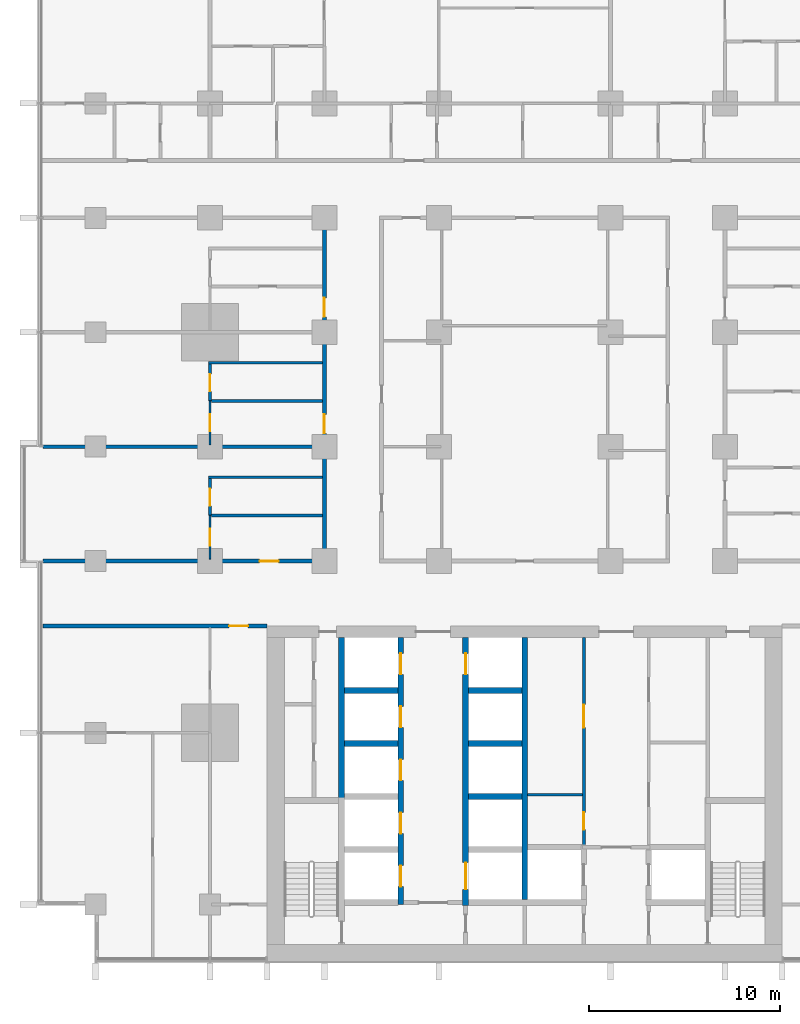
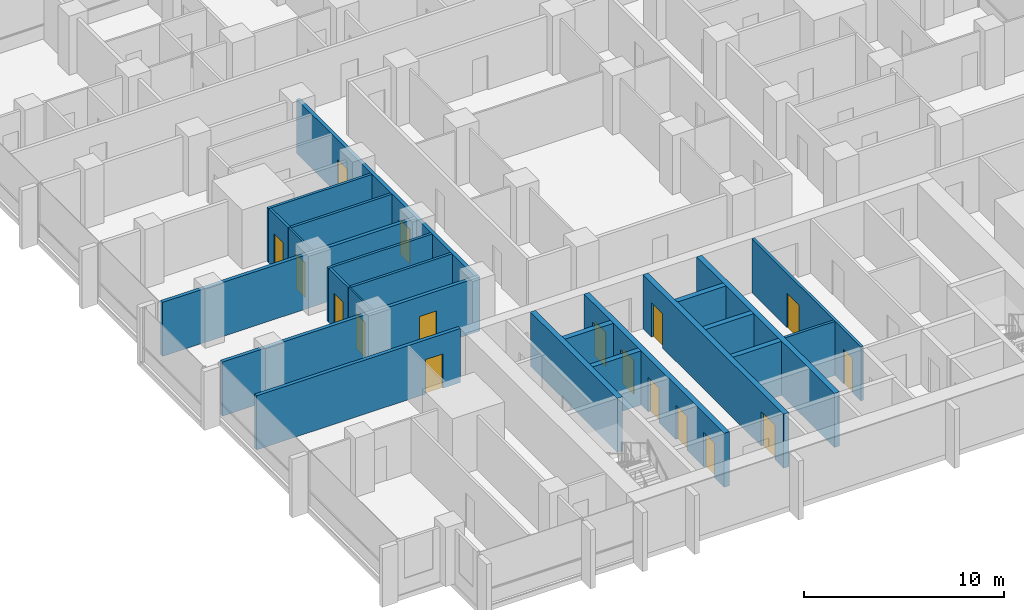
# One storey, part 8 of 18: 23 walls, 17 doors, 17 openings.
"""IFC4 building model written with IfcOpenShell, lengths in metres."""

from ifc_helpers import new_model, si_unit, direction, frame, frame_2d, origin, place, context, subcontext, project, spatial, rectangle, extrude, material, layer, layer_set, type_object, element, fill, save


model = new_model("IFC4")

# Units and contexts
model_context = context("Model", 3, precision=1e-05, world=origin(), true_north=direction((0.0, 1.0)))
body_context = subcontext(model_context, "Body", "Model", "MODEL_VIEW")
ifc_project = project(units=[si_unit("LENGTHUNIT", "METRE"), si_unit("AREAUNIT", "SQUARE_METRE"), si_unit("VOLUMEUNIT", "CUBIC_METRE"), si_unit("PLANEANGLEUNIT", "RADIAN"), si_unit("MASSUNIT", "GRAM", prefix="KILO")], contexts=[model_context])

# Site, building, storey
site_placement = place(None, origin())
site = spatial("IfcSite", under=ifc_project, at=site_placement, CompositionType="ELEMENT")
building_placement = place(site_placement, origin())
building = spatial("IfcBuilding", under=site, at=building_placement, Name="Finial Court Residences", CompositionType="ELEMENT")
storey_placement = place(building_placement, frame((0.0, 0.0, 68.5)))
storey = spatial("IfcBuildingStorey", under=building, at=storey_placement, Name="L16", CompositionType="ELEMENT", Elevation=68.5)

# Walls
ifc_material_1 = material(Name="Gypsum board")
ifc_layer_1 = layer(ifc_material_1, 0.02490234375)
ifc_material_2 = material(Name="Acoustic mineral wool in double frame")
ifc_layer_2 = layer(ifc_material_2, 0.14990234375)
ifc_layer_3 = layer(ifc_material_1, 0.02490234375)
ifc_layer_set_1 = layer_set([ifc_layer_1, ifc_layer_2, ifc_layer_3], Name="Acoustic party wall 200, 1 hour")
wall_type_1 = type_object("IfcWallType", Name="Acoustic party wall 200, 1 hour", PredefinedType="PARTITIONING", material=ifc_layer_set_1)
wall_1_placement = place(storey_placement, frame((-25.25, 1.5, 0.0), z_axis=(0.0, 0.0, 1.0), x_axis=(1.0, 0.0, 0.0)))
element("IfcWall", 1, at=wall_1_placement, inside=storey, type_object=wall_type_1, Name="Partition L16-019", PredefinedType="PARTITIONING", context=body_context, shape_type="SweptSolid", body=[
    extrude(rectangle(XDim=14.64990234375, YDim=0.199951171875, at=frame_2d((7.324951171875, 0.0))), origin(), (0.0, 0.0, 1.0), 3.300048828125),
])
ifc_material_3 = material(Name="Fire-rated gypsum board partition")
ifc_layer_4 = layer(ifc_material_3, 0.14990234375)
ifc_layer_set_2 = layer_set([ifc_layer_4], Name="Core room partition 150 EI 60")
wall_type_2 = type_object("IfcWallType", Name="Core room partition 150 EI 60", PredefinedType="PARTITIONING", material=ifc_layer_set_2)
wall_2_placement = place(storey_placement, frame((0.14990234375, -16.75, 0.0), z_axis=(0.0, 0.0, 1.0), x_axis=(1.0, 0.0, 0.0)))
element("IfcWall", 2, at=wall_2_placement, inside=storey, type_object=wall_type_2, Name="Core partition L16-14", PredefinedType="PARTITIONING", context=body_context, shape_type="SweptSolid", body=[
    extrude(rectangle(XDim=2.875, YDim=0.14990234375, at=frame_2d((1.4375, 0.0))), origin(), (0.0, 0.0, 1.0), 3.300048828125),
])

# Wall, openings, doors
wall_3_placement = place(storey_placement, frame((3.10009765625, -19.39990234375, 0.0), z_axis=(0.0, 0.0, 1.0), x_axis=(0.0, 1.0, 0.0)))
wall_3 = element("IfcWall", 3, at=wall_3_placement, inside=storey, type_object=wall_type_2, Name="Core partition L16-32", PredefinedType="PARTITIONING", context=body_context, shape_type="SweptSolid", body=[
    extrude(rectangle(XDim=10.89990234375, YDim=0.14990234375, at=frame_2d((5.449951171875, 0.0))), origin(), (0.0, 0.0, 1.0), 3.300048828125),
])
opening_1_placement = place(wall_3_placement, frame((0.824951171875, 0.0, 0.0)))
opening_1 = element("IfcOpeningElement", 4, at=opening_1_placement, cuts=wall_3, Name="Opening L16-C12", PredefinedType="OPENING", context=body_context, shape_type="SweptSolid", body=[
    extrude(rectangle(XDim=0.89990234375, YDim=2.10009765625, at=frame_2d((0.449951171875, 1.050048828125))), frame((0.0, 0.0849609375, 0.0), z_axis=(0.0, -1.0, 0.0), x_axis=(1.0, 0.0, 0.0)), (0.0, 0.0, 1.0), 0.169921875),
])
opening_2_placement = place(wall_3_placement, frame((6.175048828125, 0.0, 0.0)))
opening_2 = element("IfcOpeningElement", 5, at=opening_2_placement, cuts=wall_3, Name="Opening L16-C13", PredefinedType="OPENING", context=body_context, shape_type="SweptSolid", body=[
    extrude(rectangle(XDim=1.199951171875, YDim=2.10009765625, at=frame_2d((0.60009765625, 1.050048828125))), frame((0.0, 0.0849609375, 0.0), z_axis=(0.0, -1.0, 0.0), x_axis=(1.0, 0.0, 0.0)), (0.0, 0.0, 1.0), 0.169921875),
])
ifc_material_4 = material(Name="Steel fire door", Category="steel")
door_type_1 = type_object("IfcDoorType", Name="Core room door 1200 x 2100 EI 60", OperationType="NOTDEFINED", PredefinedType="DOOR", material=ifc_material_4)
door_1_placement = place(opening_2_placement, origin())
door_1 = element("IfcDoor", 6, at=door_1_placement, inside=storey, type_object=door_type_1, Name="Core room door L16-C13", OperationType="SINGLE_SWING_LEFT", OverallHeight=2.10009765625, OverallWidth=1.199951171875, PredefinedType="DOOR", context=body_context, shape_type="SweptSolid", body=[
    extrude(rectangle(XDim=1.199951171875, YDim=2.10009765625, at=frame_2d((0.60009765625, 1.050048828125))), frame((0.0, 0.02490234375, 0.0), z_axis=(0.0, -1.0, 0.0), x_axis=(1.0, 0.0, 0.0)), (0.0, 0.0, 1.0), 0.050048828125),
])
fill(opening_2, door_1)
door_type_2 = type_object("IfcDoorType", Name="Core room door 900 x 2100 EI 60", OperationType="NOTDEFINED", PredefinedType="DOOR", material=ifc_material_4)
door_2_placement = place(opening_1_placement, origin())
door_2 = element("IfcDoor", 7, at=door_2_placement, inside=storey, type_object=door_type_2, Name="Core room door L16-C12", OperationType="SINGLE_SWING_LEFT", OverallHeight=2.10009765625, OverallWidth=0.89990234375, PredefinedType="DOOR", context=body_context, shape_type="SweptSolid", body=[
    extrude(rectangle(XDim=0.89990234375, YDim=2.10009765625, at=frame_2d((0.449951171875, 1.050048828125))), frame((0.0, 0.02490234375, 0.0), z_axis=(0.0, -1.0, 0.0), x_axis=(1.0, 0.0, 0.0)), (0.0, 0.0, 1.0), 0.050048828125),
])
fill(opening_1, door_2)

# Wall, opening, door
ifc_layer_5 = layer(ifc_material_1, 0.02490234375)
ifc_layer_6 = layer(ifc_material_2, 0.14990234375)
ifc_layer_7 = layer(ifc_material_1, 0.02490234375)
ifc_layer_set_3 = layer_set([ifc_layer_5, ifc_layer_6, ifc_layer_7], Name="Corridor wall 200, 1 hour")
wall_type_3 = type_object("IfcWallType", Name="Corridor wall 200, 1 hour", PredefinedType="PARTITIONING", material=ifc_layer_set_3)
wall_4_placement = place(storey_placement, frame((-25.25, -7.89990234375, 0.0), z_axis=(0.0, 0.0, 1.0), x_axis=(1.0, 0.0, 0.0)))
wall_4 = element("IfcWall", 8, at=wall_4_placement, inside=storey, type_object=wall_type_3, Name="Partition L16-007", PredefinedType="PARTITIONING", context=body_context, shape_type="SweptSolid", body=[
    extrude(rectangle(XDim=11.75, YDim=0.199951171875, at=frame_2d((5.875, 0.0))), origin(), (0.0, 0.0, 1.0), 3.300048828125),
])
opening_3_placement = place(wall_4_placement, frame((9.75, 0.0, 0.0)))
opening_3 = element("IfcOpeningElement", 9, at=opening_3_placement, cuts=wall_4, Name="Opening L16-D005", PredefinedType="OPENING", context=body_context, shape_type="SweptSolid", body=[
    extrude(rectangle(XDim=1.0, YDim=2.10009765625, at=frame_2d((0.5, 1.050048828125))), frame((0.0, 0.10986328125, 0.0), z_axis=(0.0, -1.0, 0.0), x_axis=(1.0, 0.0, 0.0)), (0.0, 0.0, 1.0), 0.219970703125),
])
ifc_material_5 = material(Name="Timber door leaf in hollow metal frame", Category="wood")
door_type_3 = type_object("IfcDoorType", Name="Fire door set 1000 x 2100, 30 minutes", OperationType="SINGLE_SWING_LEFT", PredefinedType="DOOR", material=ifc_material_5)
door_3_placement = place(opening_3_placement, origin())
door_3 = element("IfcDoor", 10, at=door_3_placement, inside=storey, type_object=door_type_3, Name="Door L16-D005", OperationType="SINGLE_SWING_RIGHT", OverallHeight=2.10009765625, OverallWidth=1.0, PredefinedType="DOOR", context=body_context, shape_type="SweptSolid", body=[
    extrude(rectangle(XDim=1.0, YDim=2.10009765625, at=frame_2d((0.5, 1.050048828125))), frame((0.0, 0.02490234375, 0.0), z_axis=(0.0, -1.0, 0.0), x_axis=(1.0, 0.0, 0.0)), (0.0, 0.0, 1.0), 0.050048828125),
])
fill(opening_3, door_3)

wall_5_placement = place(storey_placement, frame((-25.25, -4.5, 0.0), z_axis=(0.0, 0.0, 1.0), x_axis=(1.0, 0.0, 0.0)))
wall_5 = element("IfcWall", 11, at=wall_5_placement, inside=storey, type_object=wall_type_3, Name="Partition L16-009", PredefinedType="PARTITIONING", context=body_context, shape_type="SweptSolid", body=[
    extrude(rectangle(XDim=14.85009765625, YDim=0.199951171875, at=frame_2d((7.425048828125, 0.0))), origin(), (0.0, 0.0, 1.0), 3.300048828125),
])
opening_4_placement = place(wall_5_placement, frame((11.35009765625, 0.0, 0.0)))
opening_4 = element("IfcOpeningElement", 12, at=opening_4_placement, cuts=wall_5, Name="Opening L16-D007", PredefinedType="OPENING", context=body_context, shape_type="SweptSolid", body=[
    extrude(rectangle(XDim=1.0, YDim=2.10009765625, at=frame_2d((0.5, 1.050048828125))), frame((0.0, 0.10986328125, 0.0), z_axis=(0.0, -1.0, 0.0), x_axis=(1.0, 0.0, 0.0)), (0.0, 0.0, 1.0), 0.219970703125),
])
door_4_placement = place(opening_4_placement, origin())
door_4 = element("IfcDoor", 13, at=door_4_placement, inside=storey, type_object=door_type_3, Name="Door L16-D007", OperationType="SINGLE_SWING_LEFT", OverallHeight=2.10009765625, OverallWidth=1.0, PredefinedType="DOOR", context=body_context, shape_type="SweptSolid", body=[
    extrude(rectangle(XDim=1.0, YDim=2.10009765625, at=frame_2d((0.5, 1.050048828125))), frame((0.0, 0.02490234375, 0.0), z_axis=(0.0, -1.0, 0.0), x_axis=(1.0, 0.0, 0.0)), (0.0, 0.0, 1.0), 0.050048828125),
])
fill(opening_4, door_4)

# Wall, openings, doors
wall_6_placement = place(storey_placement, frame((-10.5, -4.39990234375, 0.0), z_axis=(0.0, 0.0, 1.0), x_axis=(0.0, 1.0, 0.0)))
wall_6 = element("IfcWall", 14, at=wall_6_placement, inside=storey, type_object=wall_type_3, Name="Partition L16-069", PredefinedType="PARTITIONING", context=body_context, shape_type="SweptSolid", body=[
    extrude(rectangle(XDim=17.7998046875, YDim=0.199951171875, at=frame_2d((8.89990234375, 0.0))), origin(), (0.0, 0.0, 1.0), 3.300048828125),
])
opening_5_placement = place(wall_6_placement, frame((6.60009765625, 0.0, 0.0)))
opening_5 = element("IfcOpeningElement", 15, at=opening_5_placement, cuts=wall_6, Name="Opening L16-D041", PredefinedType="OPENING", context=body_context, shape_type="SweptSolid", body=[
    extrude(rectangle(XDim=1.0, YDim=2.10009765625, at=frame_2d((0.5, 1.050048828125))), frame((0.0, 0.10986328125, 0.0), z_axis=(0.0, -1.0, 0.0), x_axis=(1.0, 0.0, 0.0)), (0.0, 0.0, 1.0), 0.219970703125),
])
opening_6_placement = place(wall_6_placement, frame((12.699951171875, 0.0, 0.0)))
opening_6 = element("IfcOpeningElement", 16, at=opening_6_placement, cuts=wall_6, Name="Opening L16-D042", PredefinedType="OPENING", context=body_context, shape_type="SweptSolid", body=[
    extrude(rectangle(XDim=1.0, YDim=2.10009765625, at=frame_2d((0.5, 1.050048828125))), frame((0.0, 0.10986328125, 0.0), z_axis=(0.0, -1.0, 0.0), x_axis=(1.0, 0.0, 0.0)), (0.0, 0.0, 1.0), 0.219970703125),
])
door_5_placement = place(opening_5_placement, origin())
door_5 = element("IfcDoor", 17, at=door_5_placement, inside=storey, type_object=door_type_3, Name="Door L16-D041", OperationType="SINGLE_SWING_RIGHT", OverallHeight=2.10009765625, OverallWidth=1.0, PredefinedType="DOOR", context=body_context, shape_type="SweptSolid", body=[
    extrude(rectangle(XDim=1.0, YDim=2.10009765625, at=frame_2d((0.5, 1.050048828125))), frame((0.0, 0.02490234375, 0.0), z_axis=(0.0, -1.0, 0.0), x_axis=(1.0, 0.0, 0.0)), (0.0, 0.0, 1.0), 0.050048828125),
])
fill(opening_5, door_5)
door_6_placement = place(opening_6_placement, origin())
door_6 = element("IfcDoor", 18, at=door_6_placement, inside=storey, type_object=door_type_3, Name="Door L16-D042", OperationType="SINGLE_SWING_LEFT", OverallHeight=2.10009765625, OverallWidth=1.0, PredefinedType="DOOR", context=body_context, shape_type="SweptSolid", body=[
    extrude(rectangle(XDim=1.0, YDim=2.10009765625, at=frame_2d((0.5, 1.050048828125))), frame((0.0, 0.02490234375, 0.0), z_axis=(0.0, -1.0, 0.0), x_axis=(1.0, 0.0, 0.0)), (0.0, 0.0, 1.0), 0.050048828125),
])
fill(opening_6, door_6)

# Wall, opening, door
ifc_layer_8 = layer(ifc_material_1, 0.012451171875)
ifc_material_6 = material(Name="Mineral wool in light-gauge frame")
ifc_layer_9 = layer(ifc_material_6, 0.074951171875)
ifc_layer_10 = layer(ifc_material_1, 0.012451171875)
ifc_layer_set_4 = layer_set([ifc_layer_8, ifc_layer_9, ifc_layer_10], Name="Gypsum board partition 100")
wall_type_4 = type_object("IfcWallType", Name="Gypsum board partition 100", PredefinedType="PARTITIONING", material=ifc_layer_set_4)
wall_7_placement = place(storey_placement, frame((-16.5, -4.39990234375, 0.0), z_axis=(0.0, 0.0, 1.0), x_axis=(0.0, 1.0, 0.0)))
wall_7 = element("IfcWall", 19, at=wall_7_placement, inside=storey, type_object=wall_type_4, Name="Partition L16-058", PredefinedType="PARTITIONING", context=body_context, shape_type="SweptSolid", body=[
    extrude(rectangle(XDim=2.2998046875, YDim=0.10009765625, at=frame_2d((1.14990234375, 0.0))), origin(), (0.0, 0.0, 1.0), 3.300048828125),
])
opening_7_placement = place(wall_7_placement, frame((0.699951171875, 0.0, 0.0)))
opening_7 = element("IfcOpeningElement", 20, at=opening_7_placement, cuts=wall_7, Name="Opening L16-D035", PredefinedType="OPENING", context=body_context, shape_type="SweptSolid", body=[
    extrude(rectangle(XDim=0.89990234375, YDim=2.10009765625, at=frame_2d((0.449951171875, 1.050048828125))), frame((0.0, 0.06005859375, 0.0), z_axis=(0.0, -1.0, 0.0), x_axis=(1.0, 0.0, 0.0)), (0.0, 0.0, 1.0), 0.1201171875),
])
ifc_material_7 = material(Name="Timber door leaf in timber frame", Category="wood")
door_type_4 = type_object("IfcDoorType", Name="Door set 900 x 2100", OperationType="SINGLE_SWING_LEFT", PredefinedType="DOOR", material=ifc_material_7)
door_7_placement = place(opening_7_placement, origin())
door_7 = element("IfcDoor", 21, at=door_7_placement, inside=storey, type_object=door_type_4, Name="Door L16-D035", OperationType="SINGLE_SWING_RIGHT", OverallHeight=2.10009765625, OverallWidth=0.89990234375, PredefinedType="DOOR", context=body_context, shape_type="SweptSolid", body=[
    extrude(rectangle(XDim=0.89990234375, YDim=2.10009765625, at=frame_2d((0.449951171875, 1.050048828125))), frame((0.0, 0.02490234375, 0.0), z_axis=(0.0, -1.0, 0.0), x_axis=(1.0, 0.0, 0.0)), (0.0, 0.0, 1.0), 0.050048828125),
])
fill(opening_7, door_7)

wall_8_placement = place(storey_placement, frame((-16.5, 1.60009765625, 0.0), z_axis=(0.0, 0.0, 1.0), x_axis=(0.0, 1.0, 0.0)))
wall_8 = element("IfcWall", 22, at=wall_8_placement, inside=storey, type_object=wall_type_4, Name="Partition L16-059", PredefinedType="PARTITIONING", context=body_context, shape_type="SweptSolid", body=[
    extrude(rectangle(XDim=2.2998046875, YDim=0.10009765625, at=frame_2d((1.14990234375, 0.0))), origin(), (0.0, 0.0, 1.0), 3.300048828125),
])
opening_8_placement = place(wall_8_placement, frame((0.699951171875, 0.0, 0.0)))
opening_8 = element("IfcOpeningElement", 23, at=opening_8_placement, cuts=wall_8, Name="Opening L16-D036", PredefinedType="OPENING", context=body_context, shape_type="SweptSolid", body=[
    extrude(rectangle(XDim=0.89990234375, YDim=2.10009765625, at=frame_2d((0.449951171875, 1.050048828125))), frame((0.0, 0.06005859375, 0.0), z_axis=(0.0, -1.0, 0.0), x_axis=(1.0, 0.0, 0.0)), (0.0, 0.0, 1.0), 0.1201171875),
])
door_8_placement = place(opening_8_placement, origin())
door_8 = element("IfcDoor", 24, at=door_8_placement, inside=storey, type_object=door_type_4, Name="Door L16-D036", OperationType="SINGLE_SWING_RIGHT", OverallHeight=2.10009765625, OverallWidth=0.89990234375, PredefinedType="DOOR", context=body_context, shape_type="SweptSolid", body=[
    extrude(rectangle(XDim=0.89990234375, YDim=2.10009765625, at=frame_2d((0.449951171875, 1.050048828125))), frame((0.0, 0.02490234375, 0.0), z_axis=(0.0, -1.0, 0.0), x_axis=(1.0, 0.0, 0.0)), (0.0, 0.0, 1.0), 0.050048828125),
])
fill(opening_8, door_8)

# Walls
ifc_material_8 = material(Name="Moisture-resistant gypsum board")
ifc_layer_11 = layer(ifc_material_8, 0.012451171875)
ifc_layer_12 = layer(ifc_material_6, 0.125)
ifc_layer_13 = layer(ifc_material_8, 0.012451171875)
ifc_layer_set_5 = layer_set([ifc_layer_11, ifc_layer_12, ifc_layer_13], Name="Gypsum board wet-area partition 150")
wall_type_5 = type_object("IfcWallType", Name="Gypsum board wet-area partition 150", PredefinedType="PARTITIONING", material=ifc_layer_set_5)
wall_9_placement = place(storey_placement, frame((-16.425048828125, -2.10009765625, 0.0), z_axis=(0.0, 0.0, 1.0), x_axis=(1.0, 0.0, 0.0)))
element("IfcWall", 25, at=wall_9_placement, inside=storey, type_object=wall_type_5, Name="Partition L16-012", PredefinedType="PARTITIONING", context=body_context, shape_type="SweptSolid", body=[
    extrude(rectangle(XDim=5.824951171875, YDim=0.14990234375, at=frame_2d((2.91259765625, 0.0))), origin(), (0.0, 0.0, 1.0), 3.300048828125),
])
wall_10_placement = place(storey_placement, frame((-16.574951171875, -0.10009765625, 0.0), z_axis=(0.0, 0.0, 1.0), x_axis=(1.0, 0.0, 0.0)))
element("IfcWall", 26, at=wall_10_placement, inside=storey, type_object=wall_type_5, Name="Partition L16-014", PredefinedType="PARTITIONING", context=body_context, shape_type="SweptSolid", body=[
    extrude(rectangle(XDim=5.974853515625, YDim=0.14990234375, at=frame_2d((2.9873046875, 0.0))), origin(), (0.0, 0.0, 1.0), 3.300048828125),
])
wall_11_placement = place(storey_placement, frame((-16.425048828125, 3.89990234375, 0.0), z_axis=(0.0, 0.0, 1.0), x_axis=(1.0, 0.0, 0.0)))
element("IfcWall", 27, at=wall_11_placement, inside=storey, type_object=wall_type_5, Name="Partition L16-020", PredefinedType="PARTITIONING", context=body_context, shape_type="SweptSolid", body=[
    extrude(rectangle(XDim=5.824951171875, YDim=0.14990234375, at=frame_2d((2.91259765625, 0.0))), origin(), (0.0, 0.0, 1.0), 3.300048828125),
])
wall_12_placement = place(storey_placement, frame((-16.574951171875, 5.89990234375, 0.0), z_axis=(0.0, 0.0, 1.0), x_axis=(1.0, 0.0, 0.0)))
element("IfcWall", 28, at=wall_12_placement, inside=storey, type_object=wall_type_5, Name="Partition L16-022", PredefinedType="PARTITIONING", context=body_context, shape_type="SweptSolid", body=[
    extrude(rectangle(XDim=5.974853515625, YDim=0.14990234375, at=frame_2d((2.9873046875, 0.0))), origin(), (0.0, 0.0, 1.0), 3.300048828125),
])

# Wall, opening, door
wall_13_placement = place(storey_placement, frame((-16.5, -2.10009765625, 0.0), z_axis=(0.0, 0.0, 1.0), x_axis=(0.0, 1.0, 0.0)))
wall_13 = element("IfcWall", 29, at=wall_13_placement, inside=storey, type_object=wall_type_5, Name="Partition L16-064", PredefinedType="PARTITIONING", context=body_context, shape_type="SweptSolid", body=[
    extrude(rectangle(XDim=1.925048828125, YDim=0.14990234375, at=frame_2d((0.96240234375, 0.0))), origin(), (0.0, 0.0, 1.0), 3.300048828125),
])
opening_9_placement = place(wall_13_placement, frame((0.5, 0.0, 0.0)))
opening_9 = element("IfcOpeningElement", 30, at=opening_9_placement, cuts=wall_13, Name="Opening L16-D037", PredefinedType="OPENING", context=body_context, shape_type="SweptSolid", body=[
    extrude(rectangle(XDim=0.89990234375, YDim=2.10009765625, at=frame_2d((0.449951171875, 1.050048828125))), frame((0.0, 0.0849609375, 0.0), z_axis=(0.0, -1.0, 0.0), x_axis=(1.0, 0.0, 0.0)), (0.0, 0.0, 1.0), 0.169921875),
])
door_9_placement = place(opening_9_placement, origin())
door_9 = element("IfcDoor", 31, at=door_9_placement, inside=storey, type_object=door_type_4, Name="Door L16-D037", OperationType="SINGLE_SWING_RIGHT", OverallHeight=2.10009765625, OverallWidth=0.89990234375, PredefinedType="DOOR", context=body_context, shape_type="SweptSolid", body=[
    extrude(rectangle(XDim=0.89990234375, YDim=2.10009765625, at=frame_2d((0.449951171875, 1.050048828125))), frame((0.0, 0.02490234375, 0.0), z_axis=(0.0, -1.0, 0.0), x_axis=(1.0, 0.0, 0.0)), (0.0, 0.0, 1.0), 0.050048828125),
])
fill(opening_9, door_9)

wall_14_placement = place(storey_placement, frame((-16.5, 3.89990234375, 0.0), z_axis=(0.0, 0.0, 1.0), x_axis=(0.0, 1.0, 0.0)))
wall_14 = element("IfcWall", 32, at=wall_14_placement, inside=storey, type_object=wall_type_5, Name="Partition L16-065", PredefinedType="PARTITIONING", context=body_context, shape_type="SweptSolid", body=[
    extrude(rectangle(XDim=1.925048828125, YDim=0.14990234375, at=frame_2d((0.96240234375, 0.0))), origin(), (0.0, 0.0, 1.0), 3.300048828125),
])
opening_10_placement = place(wall_14_placement, frame((0.5, 0.0, 0.0)))
opening_10 = element("IfcOpeningElement", 33, at=opening_10_placement, cuts=wall_14, Name="Opening L16-D038", PredefinedType="OPENING", context=body_context, shape_type="SweptSolid", body=[
    extrude(rectangle(XDim=0.89990234375, YDim=2.10009765625, at=frame_2d((0.449951171875, 1.050048828125))), frame((0.0, 0.0849609375, 0.0), z_axis=(0.0, -1.0, 0.0), x_axis=(1.0, 0.0, 0.0)), (0.0, 0.0, 1.0), 0.169921875),
])
door_10_placement = place(opening_10_placement, origin())
door_10 = element("IfcDoor", 34, at=door_10_placement, inside=storey, type_object=door_type_4, Name="Door L16-D038", OperationType="SINGLE_SWING_LEFT", OverallHeight=2.10009765625, OverallWidth=0.89990234375, PredefinedType="DOOR", context=body_context, shape_type="SweptSolid", body=[
    extrude(rectangle(XDim=0.89990234375, YDim=2.10009765625, at=frame_2d((0.449951171875, 1.050048828125))), frame((0.0, 0.02490234375, 0.0), z_axis=(0.0, -1.0, 0.0), x_axis=(1.0, 0.0, 0.0)), (0.0, 0.0, 1.0), 0.050048828125),
])
fill(opening_10, door_10)

# Walls
ifc_material_9 = material(Name="Concrete C80/95", Category="concrete")
ifc_layer_14 = layer(ifc_material_9, 0.300048828125)
ifc_layer_set_6 = layer_set([ifc_layer_14], Name="Lift shaft and stair wall 300 Concrete C80/95")
wall_type_6 = type_object("IfcWallType", Name="Lift shaft and stair wall 300 Concrete C80/95", PredefinedType="SHEAR", material=ifc_layer_set_6)
for number, where, z_axis, x_axis, name in (
    (35, (-2.949951171875, -16.840087890625, 0.0), (0.0, 0.0, 1.0), (1.0, 0.0, 0.0), "Core wall L16-13"),
    (36, (-9.449951171875, -14.06005859375, 0.0), (0.0, 0.0, 1.0), (1.0, 0.0, 0.0), "Core wall L16-15"),
    (37, (-2.949951171875, -14.06005859375, 0.0), (0.0, 0.0, 1.0), (1.0, 0.0, 0.0), "Core wall L16-16"),
    (38, (-9.449951171875, -11.280029296875, 0.0), (0.0, 0.0, 1.0), (1.0, 0.0, 0.0), "Core wall L16-19"),
    (39, (-2.949951171875, -11.280029296875, 0.0), (0.0, 0.0, 1.0), (1.0, 0.0, 0.0), "Core wall L16-20"),
):
    element("IfcWall", number, at=place(storey_placement, frame(where, z_axis=z_axis, x_axis=x_axis)), inside=storey, type_object=wall_type_6, Name=name, PredefinedType="SHEAR", context=body_context, shape_type="SweptSolid", body=[
        extrude(rectangle(XDim=2.800048828125, YDim=0.300048828125, at=frame_2d((1.39990234375, 0.0))), origin(), (0.0, 0.0, 1.0), 3.300048828125),
    ])
wall_15_placement = place(storey_placement, frame((-9.60009765625, -17.199951171875, 0.0), z_axis=(0.0, 0.0, 1.0), x_axis=(0.0, 1.0, 0.0)))
element("IfcWall", 40, at=wall_15_placement, inside=storey, type_object=wall_type_6, Name="Core wall L16-24", PredefinedType="SHEAR", context=body_context, shape_type="SweptSolid", body=[
    extrude(rectangle(XDim=8.699951171875, YDim=0.300048828125, at=frame_2d((4.35009765625, 0.0))), origin(), (0.0, 0.0, 1.0), 3.300048828125),
])

# Wall, openings, doors
wall_16_placement = place(storey_placement, frame((-6.5, -22.5, 0.0), z_axis=(0.0, 0.0, 1.0), x_axis=(0.0, 1.0, 0.0)))
wall_16 = element("IfcWall", 41, at=wall_16_placement, inside=storey, type_object=wall_type_6, Name="Core wall L16-25", PredefinedType="SHEAR", context=body_context, shape_type="SweptSolid", body=[
    extrude(rectangle(XDim=14.0, YDim=0.300048828125, at=frame_2d((7.0, 0.0))), origin(), (0.0, 0.0, 1.0), 3.300048828125),
])
opening_11_placement = place(wall_16_placement, frame((0.93994140625, 0.0, 0.0)))
opening_11 = element("IfcOpeningElement", 42, at=opening_11_placement, cuts=wall_16, Name="Opening L16-LD03", PredefinedType="OPENING", context=body_context, shape_type="SweptSolid", body=[
    extrude(rectangle(XDim=1.10009765625, YDim=2.10009765625, at=frame_2d((0.550048828125, 1.050048828125))), frame((0.0, 0.159912109375, 0.0), z_axis=(0.0, -1.0, 0.0), x_axis=(1.0, 0.0, 0.0)), (0.0, 0.0, 1.0), 0.320068359375),
])
opening_12_placement = place(wall_16_placement, frame((3.719970703125, 0.0, 0.0)))
opening_12 = element("IfcOpeningElement", 43, at=opening_12_placement, cuts=wall_16, Name="Opening L16-LD04", PredefinedType="OPENING", context=body_context, shape_type="SweptSolid", body=[
    extrude(rectangle(XDim=1.10009765625, YDim=2.10009765625, at=frame_2d((0.550048828125, 1.050048828125))), frame((0.0, 0.159912109375, 0.0), z_axis=(0.0, -1.0, 0.0), x_axis=(1.0, 0.0, 0.0)), (0.0, 0.0, 1.0), 0.320068359375),
])
opening_13_placement = place(wall_16_placement, frame((6.5, 0.0, 0.0)))
opening_13 = element("IfcOpeningElement", 44, at=opening_13_placement, cuts=wall_16, Name="Opening L16-LD05", PredefinedType="OPENING", context=body_context, shape_type="SweptSolid", body=[
    extrude(rectangle(XDim=1.10009765625, YDim=2.10009765625, at=frame_2d((0.550048828125, 1.050048828125))), frame((0.0, 0.159912109375, 0.0), z_axis=(0.0, -1.0, 0.0), x_axis=(1.0, 0.0, 0.0)), (0.0, 0.0, 1.0), 0.320068359375),
])
opening_14_placement = place(wall_16_placement, frame((9.280029296875, 0.0, 0.0)))
opening_14 = element("IfcOpeningElement", 45, at=opening_14_placement, cuts=wall_16, Name="Opening L16-LD06", PredefinedType="OPENING", context=body_context, shape_type="SweptSolid", body=[
    extrude(rectangle(XDim=1.10009765625, YDim=2.10009765625, at=frame_2d((0.550048828125, 1.050048828125))), frame((0.0, 0.159912109375, 0.0), z_axis=(0.0, -1.0, 0.0), x_axis=(1.0, 0.0, 0.0)), (0.0, 0.0, 1.0), 0.320068359375),
])
opening_15_placement = place(wall_16_placement, frame((12.06005859375, 0.0, 0.0)))
opening_15 = element("IfcOpeningElement", 46, at=opening_15_placement, cuts=wall_16, Name="Opening L16-LD07", PredefinedType="OPENING", context=body_context, shape_type="SweptSolid", body=[
    extrude(rectangle(XDim=1.10009765625, YDim=2.10009765625, at=frame_2d((0.550048828125, 1.050048828125))), frame((0.0, 0.159912109375, 0.0), z_axis=(0.0, -1.0, 0.0), x_axis=(1.0, 0.0, 0.0)), (0.0, 0.0, 1.0), 0.320068359375),
])
ifc_material_10 = material(Name="Stainless steel lift door", Category="steel")
door_type_5 = type_object("IfcDoorType", Name="Lift landing door 1100 x 2100 EI 90", OperationType="DOUBLE_DOOR_SLIDING", PredefinedType="DOOR", material=ifc_material_10)
door_11_placement = place(opening_11_placement, origin())
door_11 = element("IfcDoor", 47, at=door_11_placement, inside=storey, type_object=door_type_5, Name="Lift landing door LR1 L16", OperationType="DOUBLE_DOOR_SLIDING", OverallHeight=2.10009765625, OverallWidth=1.10009765625, PredefinedType="DOOR", context=body_context, shape_type="SweptSolid", body=[
    extrude(rectangle(XDim=1.10009765625, YDim=2.10009765625, at=frame_2d((0.550048828125, 1.050048828125))), frame((0.0, 0.02490234375, 0.0), z_axis=(0.0, -1.0, 0.0), x_axis=(1.0, 0.0, 0.0)), (0.0, 0.0, 1.0), 0.050048828125),
])
fill(opening_11, door_11)
door_12_placement = place(opening_12_placement, origin())
door_12 = element("IfcDoor", 48, at=door_12_placement, inside=storey, type_object=door_type_5, Name="Lift landing door LR2 L16", OperationType="DOUBLE_DOOR_SLIDING", OverallHeight=2.10009765625, OverallWidth=1.10009765625, PredefinedType="DOOR", context=body_context, shape_type="SweptSolid", body=[
    extrude(rectangle(XDim=1.10009765625, YDim=2.10009765625, at=frame_2d((0.550048828125, 1.050048828125))), frame((0.0, 0.02490234375, 0.0), z_axis=(0.0, -1.0, 0.0), x_axis=(1.0, 0.0, 0.0)), (0.0, 0.0, 1.0), 0.050048828125),
])
fill(opening_12, door_12)
door_13_placement = place(opening_13_placement, origin())
door_13 = element("IfcDoor", 49, at=door_13_placement, inside=storey, type_object=door_type_5, Name="Lift landing door LR3 L16", OperationType="DOUBLE_DOOR_SLIDING", OverallHeight=2.10009765625, OverallWidth=1.10009765625, PredefinedType="DOOR", context=body_context, shape_type="SweptSolid", body=[
    extrude(rectangle(XDim=1.10009765625, YDim=2.10009765625, at=frame_2d((0.550048828125, 1.050048828125))), frame((0.0, 0.02490234375, 0.0), z_axis=(0.0, -1.0, 0.0), x_axis=(1.0, 0.0, 0.0)), (0.0, 0.0, 1.0), 0.050048828125),
])
fill(opening_13, door_13)
door_14_placement = place(opening_14_placement, origin())
door_14 = element("IfcDoor", 50, at=door_14_placement, inside=storey, type_object=door_type_5, Name="Lift landing door LR4 L16", OperationType="DOUBLE_DOOR_SLIDING", OverallHeight=2.10009765625, OverallWidth=1.10009765625, PredefinedType="DOOR", context=body_context, shape_type="SweptSolid", body=[
    extrude(rectangle(XDim=1.10009765625, YDim=2.10009765625, at=frame_2d((0.550048828125, 1.050048828125))), frame((0.0, 0.02490234375, 0.0), z_axis=(0.0, -1.0, 0.0), x_axis=(1.0, 0.0, 0.0)), (0.0, 0.0, 1.0), 0.050048828125),
])
fill(opening_14, door_14)
door_15_placement = place(opening_15_placement, origin())
door_15 = element("IfcDoor", 51, at=door_15_placement, inside=storey, type_object=door_type_5, Name="Lift landing door LR5 L16", OperationType="DOUBLE_DOOR_SLIDING", OverallHeight=2.10009765625, OverallWidth=1.10009765625, PredefinedType="DOOR", context=body_context, shape_type="SweptSolid", body=[
    extrude(rectangle(XDim=1.10009765625, YDim=2.10009765625, at=frame_2d((0.550048828125, 1.050048828125))), frame((0.0, 0.02490234375, 0.0), z_axis=(0.0, -1.0, 0.0), x_axis=(1.0, 0.0, 0.0)), (0.0, 0.0, 1.0), 0.050048828125),
])
fill(opening_15, door_15)

wall_17_placement = place(storey_placement, frame((-3.10009765625, -22.550048828125, 0.0), z_axis=(0.0, 0.0, 1.0), x_axis=(0.0, 1.0, 0.0)))
wall_17 = element("IfcWall", 52, at=wall_17_placement, inside=storey, type_object=wall_type_6, Name="Core wall L16-27", PredefinedType="SHEAR", context=body_context, shape_type="SweptSolid", body=[
    extrude(rectangle(XDim=14.050048828125, YDim=0.300048828125, at=frame_2d((7.02490234375, 0.0))), origin(), (0.0, 0.0, 1.0), 3.300048828125),
])
opening_16_placement = place(wall_17_placement, frame((12.110107421875, 0.0, 0.0)))
opening_16 = element("IfcOpeningElement", 53, at=opening_16_placement, cuts=wall_17, Name="Opening L16-LD08", PredefinedType="OPENING", context=body_context, shape_type="SweptSolid", body=[
    extrude(rectangle(XDim=1.10009765625, YDim=2.10009765625, at=frame_2d((0.550048828125, 1.050048828125))), frame((0.0, 0.159912109375, 0.0), z_axis=(0.0, -1.0, 0.0), x_axis=(1.0, 0.0, 0.0)), (0.0, 0.0, 1.0), 0.320068359375),
])
opening_17_placement = place(wall_17_placement, frame((0.840087890625, 0.0, 0.0)))
opening_17 = element("IfcOpeningElement", 54, at=opening_17_placement, cuts=wall_17, Name="Opening L16-LD09", PredefinedType="OPENING", context=body_context, shape_type="SweptSolid", body=[
    extrude(rectangle(XDim=1.39990234375, YDim=2.10009765625, at=frame_2d((0.699951171875, 1.050048828125))), frame((0.0, 0.159912109375, 0.0), z_axis=(0.0, -1.0, 0.0), x_axis=(1.0, 0.0, 0.0)), (0.0, 0.0, 1.0), 0.320068359375),
])
door_16_placement = place(opening_16_placement, origin())
door_16 = element("IfcDoor", 55, at=door_16_placement, inside=storey, type_object=door_type_5, Name="Lift landing door LR6 L16", OperationType="DOUBLE_DOOR_SLIDING", OverallHeight=2.10009765625, OverallWidth=1.10009765625, PredefinedType="DOOR", context=body_context, shape_type="SweptSolid", body=[
    extrude(rectangle(XDim=1.10009765625, YDim=2.10009765625, at=frame_2d((0.550048828125, 1.050048828125))), frame((0.0, 0.02490234375, 0.0), z_axis=(0.0, -1.0, 0.0), x_axis=(1.0, 0.0, 0.0)), (0.0, 0.0, 1.0), 0.050048828125),
])
fill(opening_16, door_16)
door_type_6 = type_object("IfcDoorType", Name="Lift landing door 1400 x 2100 EI 90", OperationType="DOUBLE_DOOR_SLIDING", PredefinedType="DOOR", material=ifc_material_10)
door_17_placement = place(opening_17_placement, origin())
door_17 = element("IfcDoor", 56, at=door_17_placement, inside=storey, type_object=door_type_6, Name="Lift landing door SV1 L16", OperationType="DOUBLE_DOOR_SLIDING", OverallHeight=2.10009765625, OverallWidth=1.39990234375, PredefinedType="DOOR", context=body_context, shape_type="SweptSolid", body=[
    extrude(rectangle(XDim=1.39990234375, YDim=2.10009765625, at=frame_2d((0.699951171875, 1.050048828125))), frame((0.0, 0.02490234375, 0.0), z_axis=(0.0, -1.0, 0.0), x_axis=(1.0, 0.0, 0.0)), (0.0, 0.0, 1.0), 0.050048828125),
])
fill(opening_17, door_17)

# Wall
wall_18_placement = place(storey_placement, frame((0.0, -22.25, 0.0), z_axis=(0.0, 0.0, 1.0), x_axis=(0.0, 1.0, 0.0)))
element("IfcWall", 57, at=wall_18_placement, inside=storey, type_object=wall_type_6, Name="Core wall L16-29", PredefinedType="SHEAR", context=body_context, shape_type="SweptSolid", body=[
    extrude(rectangle(XDim=13.75, YDim=0.300048828125, at=frame_2d((6.875, 0.0))), origin(), (0.0, 0.0, 1.0), 3.300048828125),
])

save(model, "model.ifc")
